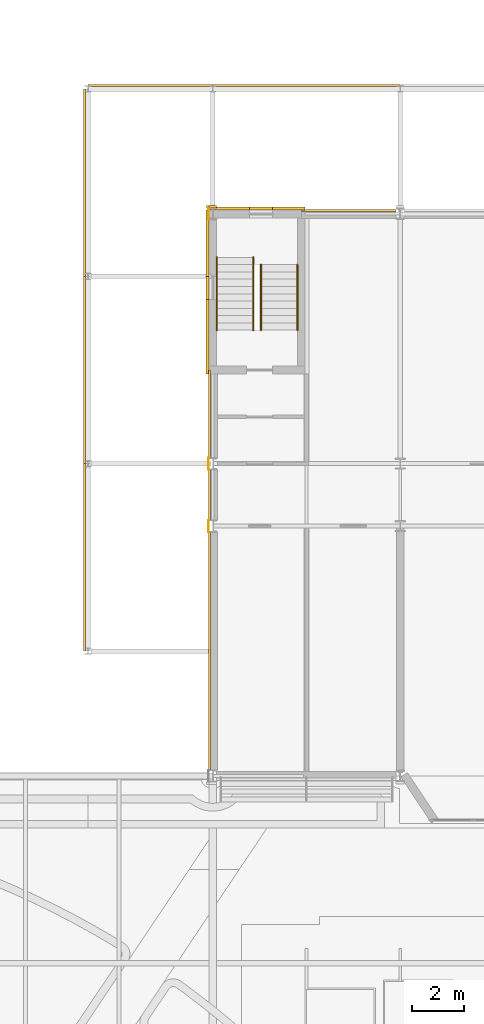
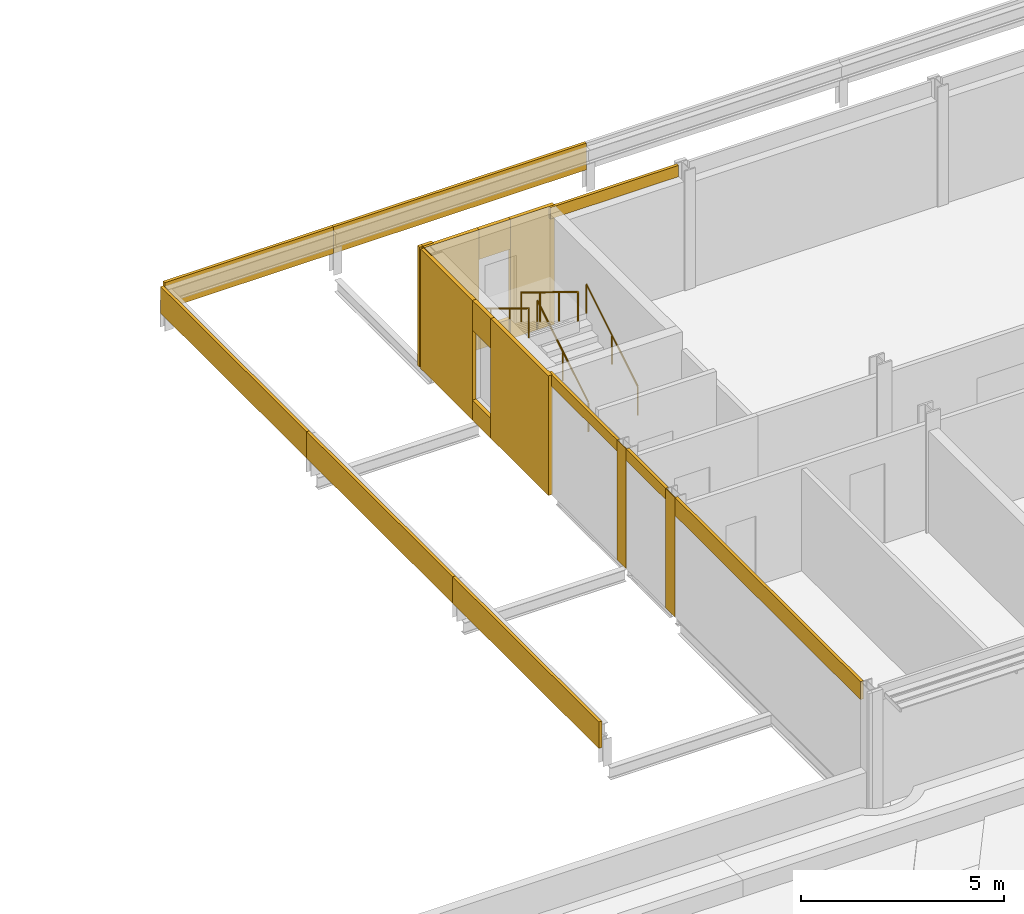
# One storey, part 99 of 110: 22 coverings, 4 railings.
"""IFC4 building model written with IfcOpenShell, lengths in metres."""

from ifc_helpers import new_model, si_unit, direction, frame, origin, origin_2d, place, context, subcontext, project, spatial, rectangle, circle, extrude, material, layer, layer_set, type_object, element, save


model = new_model("IFC4")

# Units and contexts
model_context = context("Model", 3, precision=1e-05, world=origin(), true_north=direction((0.0, 1.0)))
body_context = subcontext(model_context, "Body", "Model", "MODEL_VIEW")
ifc_project = project(units=[si_unit("LENGTHUNIT", "METRE"), si_unit("AREAUNIT", "SQUARE_METRE"), si_unit("VOLUMEUNIT", "CUBIC_METRE"), si_unit("PLANEANGLEUNIT", "RADIAN"), si_unit("MASSUNIT", "GRAM", prefix="KILO")], contexts=[model_context])

# Site, building, storey
site_placement = place(None, origin())
site = spatial("IfcSite", under=ifc_project, at=site_placement, CompositionType="ELEMENT")
building_placement = place(site_placement, origin())
building = spatial("IfcBuilding", under=site, at=building_placement, Name="Kupolbacken Congress Centre", CompositionType="ELEMENT")
storey_placement = place(building_placement, frame((0.0, 0.0, 18.0)))
storey = spatial("IfcBuildingStorey", under=building, at=storey_placement, Name="L05", CompositionType="ELEMENT", Elevation=18.0)

# Coverings
ifc_material_1 = material(Name="Limestone cladding", Category="masonry")
ifc_layer_1 = layer(ifc_material_1, 0.1201171875)
ifc_layer_set_1 = layer_set([ifc_layer_1], Name="Limestone cladding")
covering_type_1 = type_object("IfcCoveringType", Name="CV1 limestone cladding band 120", PredefinedType="CLADDING", material=ifc_layer_set_1)
covering_1_placement = place(storey_placement, frame((70.023193359375, 144.12744140625, 3.259765625), z_axis=(0.0, 0.0, 1.0), x_axis=(-1.0, 0.0, 0.0)))
element("IfcCovering", 1, at=covering_1_placement, inside=storey, type_object=covering_type_1, Name="E/T/N/L05/073/band", PredefinedType="CLADDING", context=body_context, shape_type="SweptSolid", body=[
    extrude(rectangle(XDim=3.646484375, YDim=0.0849609375, at=origin_2d()), origin(), (0.0, 0.0, 1.0), 0.340087890625),
])
covering_2_placement = place(storey_placement, frame((64.672607421875, 136.3125, 3.259765625), z_axis=(0.0, 0.0, 1.0), x_axis=(0.0, -1.0, 0.0)))
element("IfcCovering", 2, at=covering_2_placement, inside=storey, type_object=covering_type_1, Name="E/T/W/L05/077/band", PredefinedType="CLADDING", context=body_context, shape_type="SweptSolid", body=[
    extrude(rectangle(XDim=3.375, YDim=0.0849609375, at=origin_2d()), origin(), (0.0, 0.0, 1.0), 0.340087890625),
])
covering_3_placement = place(storey_placement, frame((64.672607421875, 133.199951171875, 3.259765625), z_axis=(0.0, 0.0, 1.0), x_axis=(0.0, -1.0, 0.0)))
element("IfcCovering", 3, at=covering_3_placement, inside=storey, type_object=covering_type_1, Name="E/T/W/L05/078/band", PredefinedType="CLADDING", context=body_context, shape_type="SweptSolid", body=[
    extrude(rectangle(XDim=1.949951171875, YDim=0.0849609375, at=origin_2d()), origin(), (0.0, 0.0, 1.0), 0.340087890625),
])
covering_4_placement = place(storey_placement, frame((64.672607421875, 127.199951171875, 3.06005859375), z_axis=(0.0, 0.0, 1.0), x_axis=(0.0, -1.0, 0.0)))
element("IfcCovering", 4, at=covering_4_placement, inside=storey, type_object=covering_type_1, Name="E/T/W/L05/079/band", PredefinedType="CLADDING", context=body_context, shape_type="SweptSolid", body=[
    extrude(rectangle(XDim=9.14990234375, YDim=0.0849609375, at=origin_2d()), origin(), (0.0, 0.0, 1.0), 0.5400390625),
])
covering_5_placement = place(storey_placement, frame((62.39990234375, 148.9326171875, 0.5), z_axis=(0.0, 0.0, 1.0), x_axis=(1.0, 0.0, 0.0)))
element("IfcCovering", 5, at=covering_5_placement, inside=storey, type_object=covering_type_1, Name="E/T/portal/N/fascia60", PredefinedType="CLADDING", context=body_context, shape_type="SweptSolid", body=[
    extrude(rectangle(XDim=4.800048828125, YDim=0.0849609375, at=origin_2d()), origin(), (0.0, 0.0, 1.0), 0.800048828125),
])
covering_6_placement = place(storey_placement, frame((68.39990234375, 148.9326171875, 0.5), z_axis=(0.0, 0.0, 1.0), x_axis=(1.0, 0.0, 0.0)))
element("IfcCovering", 6, at=covering_6_placement, inside=storey, type_object=covering_type_1, Name="E/T/portal/N/fascia64.8", PredefinedType="CLADDING", context=body_context, shape_type="SweptSolid", body=[
    extrude(rectangle(XDim=7.199951171875, YDim=0.0849609375, at=origin_2d()), origin(), (0.0, 0.0, 1.0), 0.800048828125),
])
for number, where, z_axis, x_axis, name in (
    (7, (59.867431640625, 130.800048828125, 0.5), (0.0, 0.0, 1.0), (1.0, 0.0, 0.0), "E/T/portal/W/fascia127.2"),
    (8, (59.867431640625, 138.0, 0.5), (0.0, 0.0, 1.0), (1.0, 0.0, 0.0), "E/T/portal/W/fascia134.4"),
    (9, (59.867431640625, 145.199951171875, 0.5), (0.0, 0.0, 1.0), (1.0, 0.0, 0.0), "E/T/portal/W/fascia141.6"),
):
    element("IfcCovering", number, at=place(storey_placement, frame(where, z_axis=z_axis, x_axis=x_axis)), inside=storey, type_object=covering_type_1, Name=name, PredefinedType="CLADDING", context=body_context, shape_type="SweptSolid", body=[
        extrude(rectangle(XDim=0.0849609375, YDim=7.199951171875, at=origin_2d()), origin(), (0.0, 0.0, 1.0), 0.800048828125),
    ])
ifc_material_2 = material(Name="Brick cladding", Category="masonry")
ifc_layer_2 = layer(ifc_material_2, 0.10791015625)
ifc_layer_set_2 = layer_set([ifc_layer_2], Name="Brick cladding")
covering_type_2 = type_object("IfcCoveringType", Name="CV2 brick cladding band 108", PredefinedType="CLADDING", material=ifc_layer_set_2)
for number, where, z_axis, x_axis, name in (
    (10, (64.639892578125, 132.0, 0.0), (0.0, 0.0, 1.0), (1.0, 0.0, 0.0), "E/T/pilaster/L05/C-T-10U+2400/W"),
    (11, (64.639892578125, 134.39990234375, 0.0), (0.0, 0.0, 1.0), (1.0, 0.0, 0.0), "E/T/pilaster/L05/C-T-10U+4800/W"),
):
    element("IfcCovering", number, at=place(storey_placement, frame(where, z_axis=z_axis, x_axis=x_axis)), inside=storey, type_object=covering_type_2, Name=name, PredefinedType="CLADDING", context=body_context, shape_type="SweptSolid", body=[
        extrude(rectangle(XDim=0.02001953125, YDim=0.449951171875, at=origin_2d()), origin(), (0.0, 0.0, 1.0), 3.60009765625),
    ])
covering_7_placement = place(storey_placement, frame((64.60009765625, 144.27490234375, 0.0), z_axis=(0.0, 0.0, 1.0), x_axis=(1.0, 0.0, 0.0)))
element("IfcCovering", 12, at=covering_7_placement, inside=storey, type_object=covering_type_2, Name="E/T/pilaster/L05/C-T-10W/corner", PredefinedType="CLADDING", context=body_context, shape_type="SweptSolid", body=[
    extrude(rectangle(XDim=0.10009765625, YDim=0.10009765625, at=origin_2d()), origin(), (0.0, 0.0, 1.0), 3.60009765625),
])
covering_8_placement = place(storey_placement, frame((64.800048828125, 144.27490234375, 0.0), z_axis=(0.0, 0.0, 1.0), x_axis=(1.0, 0.0, 0.0)))
element("IfcCovering", 13, at=covering_8_placement, inside=storey, type_object=covering_type_2, Name="E/T/pilaster/L05/C-T-10W/N", PredefinedType="CLADDING", context=body_context, shape_type="SweptSolid", body=[
    extrude(rectangle(XDim=0.300048828125, YDim=0.10009765625, at=origin_2d()), origin(), (0.0, 0.0, 1.0), 3.60009765625),
])
covering_9_placement = place(storey_placement, frame((64.639892578125, 144.0, 0.0), z_axis=(0.0, 0.0, 1.0), x_axis=(1.0, 0.0, 0.0)))
element("IfcCovering", 14, at=covering_9_placement, inside=storey, type_object=covering_type_2, Name="E/T/pilaster/L05/C-T-10W/W", PredefinedType="CLADDING", context=body_context, shape_type="SweptSolid", body=[
    extrude(rectangle(XDim=0.02001953125, YDim=0.449951171875, at=origin_2d()), origin(), (0.0, 0.0, 1.0), 3.60009765625),
])
covering_10_placement = place(storey_placement, frame((64.595947265625, 142.875, 0.0), z_axis=(0.0, 0.0, 1.0), x_axis=(0.0, -1.0, 0.0)))
element("IfcCovering", 15, at=covering_10_placement, inside=storey, type_object=covering_type_2, Name="S/core/L05/124/face0", PredefinedType="CLADDING", context=body_context, shape_type="SweptSolid", body=[
    extrude(rectangle(XDim=2.550048828125, YDim=0.10791015625, at=origin_2d()), origin(), (0.0, 0.0, 1.0), 3.60009765625),
])
covering_11_placement = place(storey_placement, frame((64.595947265625, 139.27490234375, 0.0), z_axis=(0.0, 0.0, 1.0), x_axis=(0.0, -1.0, 0.0)))
element("IfcCovering", 16, at=covering_11_placement, inside=storey, type_object=covering_type_2, Name="S/core/L05/124/face1", PredefinedType="CLADDING", context=body_context, shape_type="SweptSolid", body=[
    extrude(rectangle(XDim=2.85009765625, YDim=0.10791015625, at=origin_2d()), origin(), (0.0, 0.0, 1.0), 3.60009765625),
])
covering_12_placement = place(storey_placement, frame((64.595947265625, 141.14990234375, 0.0), z_axis=(0.0, 0.0, 1.0), x_axis=(0.0, -1.0, 0.0)))
element("IfcCovering", 17, at=covering_12_placement, inside=storey, type_object=covering_type_2, Name="S/core/L05/124/face2", PredefinedType="CLADDING", context=body_context, shape_type="SweptSolid", body=[
    extrude(rectangle(XDim=0.89990234375, YDim=0.10791015625, at=origin_2d()), origin(), (0.0, 0.0, 1.0), 0.60009765625),
])
covering_13_placement = place(storey_placement, frame((64.595947265625, 141.14990234375, 2.699951171875), z_axis=(0.0, 0.0, 1.0), x_axis=(0.0, -1.0, 0.0)))
element("IfcCovering", 18, at=covering_13_placement, inside=storey, type_object=covering_type_2, Name="S/core/L05/124/face3", PredefinedType="CLADDING", context=body_context, shape_type="SweptSolid", body=[
    extrude(rectangle(XDim=0.89990234375, YDim=0.10791015625, at=origin_2d()), origin(), (0.0, 0.0, 1.0), 0.89990234375),
])
covering_14_placement = place(storey_placement, frame((67.72509765625, 144.2041015625, 0.0), z_axis=(0.0, 0.0, 1.0), x_axis=(-1.0, 0.0, 0.0)))
element("IfcCovering", 19, at=covering_14_placement, inside=storey, type_object=covering_type_2, Name="S/core/L05/125/face0", PredefinedType="CLADDING", context=body_context, shape_type="SweptSolid", body=[
    extrude(rectangle(XDim=1.25, YDim=0.10791015625, at=origin_2d()), origin(), (0.0, 0.0, 1.0), 3.60009765625),
])
covering_15_placement = place(storey_placement, frame((65.425048828125, 144.2041015625, 0.0), z_axis=(0.0, 0.0, 1.0), x_axis=(-1.0, 0.0, 0.0)))
element("IfcCovering", 20, at=covering_15_placement, inside=storey, type_object=covering_type_2, Name="S/core/L05/125/face1", PredefinedType="CLADDING", context=body_context, shape_type="SweptSolid", body=[
    extrude(rectangle(XDim=1.550048828125, YDim=0.10791015625, at=origin_2d()), origin(), (0.0, 0.0, 1.0), 3.60009765625),
])
covering_16_placement = place(storey_placement, frame((66.64990234375, 144.2041015625, 0.0), z_axis=(0.0, 0.0, 1.0), x_axis=(-1.0, 0.0, 0.0)))
element("IfcCovering", 21, at=covering_16_placement, inside=storey, type_object=covering_type_2, Name="S/core/L05/125/face2", PredefinedType="CLADDING", context=body_context, shape_type="SweptSolid", body=[
    extrude(rectangle(XDim=0.89990234375, YDim=0.10791015625, at=origin_2d()), origin(), (0.0, 0.0, 1.0), 0.60009765625),
])
covering_17_placement = place(storey_placement, frame((66.64990234375, 144.2041015625, 2.699951171875), z_axis=(0.0, 0.0, 1.0), x_axis=(-1.0, 0.0, 0.0)))
element("IfcCovering", 22, at=covering_17_placement, inside=storey, type_object=covering_type_2, Name="S/core/L05/125/face3", PredefinedType="CLADDING", context=body_context, shape_type="SweptSolid", body=[
    extrude(rectangle(XDim=0.89990234375, YDim=0.10791015625, at=origin_2d()), origin(), (0.0, 0.0, 1.0), 0.89990234375),
])

# Railings
ifc_material_3 = material(Name="Steel S235", Category="steel")
railing_type = type_object("IfcRailingType", Name="RL3 handrail wall-mounted 900", PredefinedType="HANDRAIL", material=ifc_material_3)
for number, where, name in (
    (23, (66.64990234375, 139.530029296875, 0.17138671875), "C/stair/TS3/L05/HR1L"),
    (24, (68.050048828125, 139.530029296875, 0.17138671875), "C/stair/TS3/L05/HR1R"),
):
    element("IfcRailing", number, at=place(storey_placement, frame(where)), inside=storey, type_object=railing_type, Name=name, PredefinedType="HANDRAIL", context=body_context, shape_type="SweptSolid", body=[
        extrude(circle(Radius=0.02392578125, at=origin_2d()), frame((0.0, 0.0, 0.8759765625), z_axis=(0.0, 0.852836285881, 0.522178388565), x_axis=(-1.0, 0.0, 0.0)), (0.0, 0.0, 1.0), 2.954833984375),
        extrude(circle(Radius=0.02099609375, at=origin_2d()), origin(), (0.0, 0.0, 1.0), 0.851806640625),
        extrude(circle(Radius=0.02099609375, at=origin_2d()), frame((0.0, 1.260009765625, 0.771484375)), (0.0, 0.0, 1.0), 0.851806640625),
        extrude(circle(Radius=0.02099609375, at=origin_2d()), frame((0.0, 2.52001953125, 1.54296875)), (0.0, 0.0, 1.0), 0.851806640625),
    ])
for number, where, name in (
    (25, (66.35009765625, 142.330078125, 1.8857421875), "C/stair/TS3/L05/HR2L"),
    (26, (64.949951171875, 142.330078125, 1.8857421875), "C/stair/TS3/L05/HR2R"),
):
    element("IfcRailing", number, at=place(storey_placement, frame(where)), inside=storey, type_object=railing_type, Name=name, PredefinedType="HANDRAIL", context=body_context, shape_type="SweptSolid", body=[
        extrude(circle(Radius=0.02392578125, at=origin_2d()), frame((0.0, 0.0, 0.8759765625), z_axis=(0.0, -0.852845897599, 0.522162690116), x_axis=(1.0, 0.0, 0.0)), (0.0, 0.0, 1.0), 3.283203125),
        extrude(circle(Radius=0.02099609375, at=origin_2d()), origin(), (0.0, 0.0, 1.0), 0.851806640625),
        extrude(circle(Radius=0.02099609375, at=origin_2d()), frame((0.0, -0.933349609375, 0.571533203125)), (0.0, 0.0, 1.0), 0.851806640625),
        extrude(circle(Radius=0.02099609375, at=origin_2d()), frame((0.0, -1.86669921875, 1.142822265625)), (0.0, 0.0, 1.0), 0.851806640625),
        extrude(circle(Radius=0.02099609375, at=origin_2d()), frame((0.0, -2.800048828125, 1.71435546875)), (0.0, 0.0, 1.0), 0.851806640625),
    ])

save(model, "model.ifc")
